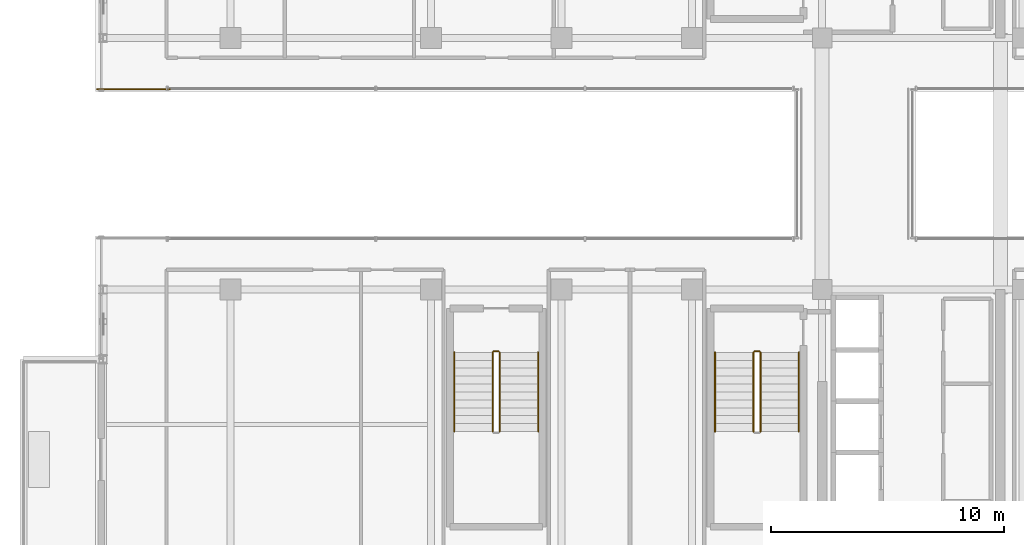
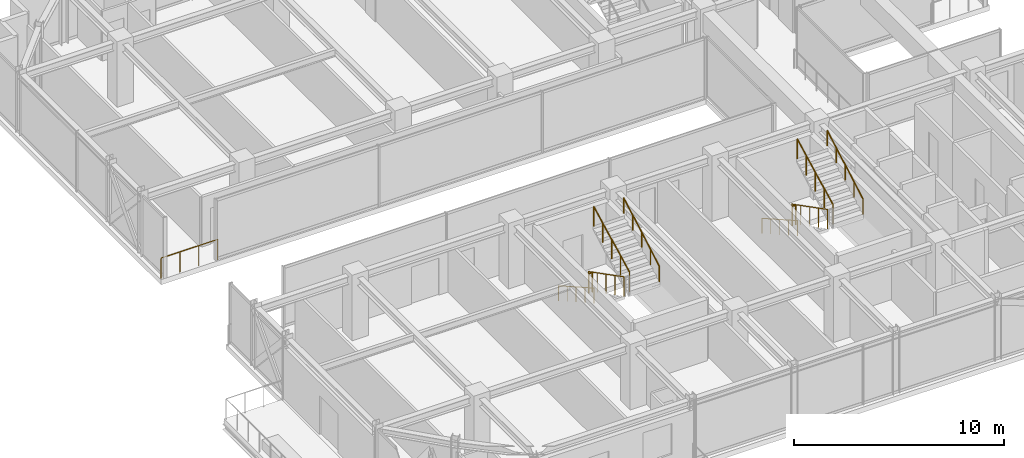
# One storey, part 35 of 37: 11 railings.
"""IFC4 building model written with IfcOpenShell, lengths in metres."""

from ifc_helpers import new_model, si_unit, direction, frame, origin, origin_2d, place, context, subcontext, project, spatial, circle, extrude, material, type_object, element, save


model = new_model("IFC4")

# Units and contexts
model_context = context("Model", 3, precision=1e-05, world=origin(), true_north=direction((0.0, 1.0)))
body_context = subcontext(model_context, "Body", "Model", "MODEL_VIEW")
ifc_project = project(units=[si_unit("LENGTHUNIT", "METRE"), si_unit("AREAUNIT", "SQUARE_METRE"), si_unit("VOLUMEUNIT", "CUBIC_METRE"), si_unit("PLANEANGLEUNIT", "RADIAN"), si_unit("MASSUNIT", "GRAM", prefix="KILO")], contexts=[model_context])

# Site, building, storey
site_placement = place(None, origin())
site = spatial("IfcSite", under=ifc_project, at=site_placement, CompositionType="ELEMENT")
building_placement = place(site_placement, origin())
building = spatial("IfcBuilding", under=site, at=building_placement, Name="Nahalor Promenade Grand Hotel", CompositionType="ELEMENT")
storey_placement = place(building_placement, frame((0.0, 0.0, 292.64990234375)))
storey = spatial("IfcBuildingStorey", under=building, at=storey_placement, Name="L75", CompositionType="ELEMENT", Elevation=292.64990234375)

# Railings
ifc_material_1 = material(Name="Anodised Bronze Aluminium EN AW-6063 T6", Category="aluminium")
railing_type_1 = type_object("IfcRailingType", Name="Bronze Balcony Guardrail 1200 mm", PredefinedType="GUARDRAIL", material=ifc_material_1)
railing_1_placement = place(storey_placement, frame((-22.739990234375, 3.199951171875, 0.0)))
element("IfcRailing", 1, at=railing_1_placement, inside=storey, type_object=railing_type_1, Name="L75 Oculus Void Edge Guardrail WN", PredefinedType="GUARDRAIL", context=body_context, shape_type="SweptSolid", body=[
    extrude(circle(Radius=0.024048, at=origin_2d()), frame((0.0, 0.0, 1.17578125), z_axis=(1.0, 0.0, 0.0), x_axis=(0.0, 1.0, 0.0)), (0.0, 0.0, 1.0), 3.119873046875),
    extrude(circle(Radius=0.020996, at=origin_2d()), origin(), (0.0, 0.0, 1.0), 1.14990234375),
    extrude(circle(Radius=0.020996, at=origin_2d()), frame((1.0400390625, 0.0, 0.0)), (0.0, 0.0, 1.0), 1.14990234375),
    extrude(circle(Radius=0.020996, at=origin_2d()), frame((2.079833984375, 0.0, 0.0)), (0.0, 0.0, 1.0), 1.14990234375),
    extrude(circle(Radius=0.020996, at=origin_2d()), frame((3.119873046875, 0.0, 0.0)), (0.0, 0.0, 1.0), 1.14990234375),
])
ifc_material_2 = material(Name="Steel S355JR", Category="steel")
railing_type_2 = type_object("IfcRailingType", Name="Steel Stair Guardrail 1150 mm", PredefinedType="GUARDRAIL", material=ifc_material_2)
railing_2_placement = place(storey_placement, frame((5.449951171875, -8.10009765625, 0.175048828125)))
element("IfcRailing", 2, at=railing_2_placement, inside=storey, type_object=railing_type_2, Name="L75 ST2 stair guard 1", PredefinedType="GUARDRAIL", context=body_context, shape_type="SweptSolid", body=[
    extrude(circle(Radius=0.024048, at=origin_2d()), frame((0.0, 0.0, 1.1259765625), z_axis=(0.0, -0.889130461562, 0.457653823673), x_axis=(1.0, 0.0, 0.0)), (0.0, 0.0, 1.0), 3.82373046875),
    extrude(circle(Radius=0.020996, at=origin_2d()), origin(), (0.0, 0.0, 1.0), 1.099853515625),
    extrude(circle(Radius=0.020996, at=origin_2d()), frame((0.0, -0.85009765625, 0.4375)), (0.0, 0.0, 1.0), 1.099853515625),
    extrude(circle(Radius=0.020996, at=origin_2d()), frame((0.0, -1.699951171875, 0.875)), (0.0, 0.0, 1.0), 1.099853515625),
    extrude(circle(Radius=0.020996, at=origin_2d()), frame((0.0, -2.5498046875, 1.3125)), (0.0, 0.0, 1.0), 1.099853515625),
    extrude(circle(Radius=0.020996, at=origin_2d()), frame((0.0, -3.39990234375, 1.75)), (0.0, 0.0, 1.0), 1.099853515625),
])
railing_3_placement = place(storey_placement, frame((5.75, -11.5, 2.10009765625)))
element("IfcRailing", 3, at=railing_3_placement, inside=storey, type_object=railing_type_2, Name="L75 ST2 stair guard 3", PredefinedType="GUARDRAIL", context=body_context, shape_type="SweptSolid", body=[
    extrude(circle(Radius=0.024048, at=origin_2d()), frame((0.0, 0.0, 1.1259765625), z_axis=(0.0, 0.889130461562, 0.457653823673), x_axis=(-1.0, 0.0, 0.0)), (0.0, 0.0, 1.0), 3.82373046875),
    extrude(circle(Radius=0.020996, at=origin_2d()), origin(), (0.0, 0.0, 1.0), 1.099853515625),
    extrude(circle(Radius=0.020996, at=origin_2d()), frame((0.0, 0.85009765625, 0.4375)), (0.0, 0.0, 1.0), 1.099853515625),
    extrude(circle(Radius=0.020996, at=origin_2d()), frame((0.0, 1.699951171875, 0.875)), (0.0, 0.0, 1.0), 1.099853515625),
    extrude(circle(Radius=0.020996, at=origin_2d()), frame((0.0, 2.5498046875, 1.3125)), (0.0, 0.0, 1.0), 1.099853515625),
    extrude(circle(Radius=0.020996, at=origin_2d()), frame((0.0, 3.39990234375, 1.75)), (0.0, 0.0, 1.0), 1.099853515625),
])
railing_4_placement = place(storey_placement, frame((5.5, -8.050048828125, 0.0)))
element("IfcRailing", 4, at=railing_4_placement, inside=storey, type_object=railing_type_2, Name="L75 ST2 stair guard 4", PredefinedType="GUARDRAIL", context=body_context, shape_type="SweptSolid", body=[
    extrude(circle(Radius=0.024048, at=origin_2d()), frame((0.0, 0.0, 1.1259765625), z_axis=(1.0, 0.0, 0.0), x_axis=(0.0, 1.0, 0.0)), (0.0, 0.0, 1.0), 0.199951171875),
    extrude(circle(Radius=0.020996, at=origin_2d()), origin(), (0.0, 0.0, 1.0), 1.099853515625),
    extrude(circle(Radius=0.020996, at=origin_2d()), frame((0.199951171875, 0.0, 0.0)), (0.0, 0.0, 1.0), 1.099853515625),
])
railing_5_placement = place(storey_placement, frame((-5.75, -8.10009765625, 0.175048828125)))
element("IfcRailing", 5, at=railing_5_placement, inside=storey, type_object=railing_type_2, Name="L75 ST3 stair guard 1", PredefinedType="GUARDRAIL", context=body_context, shape_type="SweptSolid", body=[
    extrude(circle(Radius=0.024048, at=origin_2d()), frame((0.0, 0.0, 1.1259765625), z_axis=(0.0, -0.889130461562, 0.457653823673), x_axis=(1.0, 0.0, 0.0)), (0.0, 0.0, 1.0), 3.82373046875),
    extrude(circle(Radius=0.020996, at=origin_2d()), origin(), (0.0, 0.0, 1.0), 1.099853515625),
    extrude(circle(Radius=0.020996, at=origin_2d()), frame((0.0, -0.85009765625, 0.4375)), (0.0, 0.0, 1.0), 1.099853515625),
    extrude(circle(Radius=0.020996, at=origin_2d()), frame((0.0, -1.699951171875, 0.875)), (0.0, 0.0, 1.0), 1.099853515625),
    extrude(circle(Radius=0.020996, at=origin_2d()), frame((0.0, -2.5498046875, 1.3125)), (0.0, 0.0, 1.0), 1.099853515625),
    extrude(circle(Radius=0.020996, at=origin_2d()), frame((0.0, -3.39990234375, 1.75)), (0.0, 0.0, 1.0), 1.099853515625),
])
railing_6_placement = place(storey_placement, frame((-5.449951171875, -11.5, 2.10009765625)))
element("IfcRailing", 6, at=railing_6_placement, inside=storey, type_object=railing_type_2, Name="L75 ST3 stair guard 3", PredefinedType="GUARDRAIL", context=body_context, shape_type="SweptSolid", body=[
    extrude(circle(Radius=0.024048, at=origin_2d()), frame((0.0, 0.0, 1.1259765625), z_axis=(0.0, 0.889130461562, 0.457653823673), x_axis=(-1.0, 0.0, 0.0)), (0.0, 0.0, 1.0), 3.82373046875),
    extrude(circle(Radius=0.020996, at=origin_2d()), origin(), (0.0, 0.0, 1.0), 1.099853515625),
    extrude(circle(Radius=0.020996, at=origin_2d()), frame((0.0, 0.85009765625, 0.4375)), (0.0, 0.0, 1.0), 1.099853515625),
    extrude(circle(Radius=0.020996, at=origin_2d()), frame((0.0, 1.699951171875, 0.875)), (0.0, 0.0, 1.0), 1.099853515625),
    extrude(circle(Radius=0.020996, at=origin_2d()), frame((0.0, 2.5498046875, 1.3125)), (0.0, 0.0, 1.0), 1.099853515625),
    extrude(circle(Radius=0.020996, at=origin_2d()), frame((0.0, 3.39990234375, 1.75)), (0.0, 0.0, 1.0), 1.099853515625),
])
railing_7_placement = place(storey_placement, frame((-5.699951171875, -8.050048828125, 0.0)))
element("IfcRailing", 7, at=railing_7_placement, inside=storey, type_object=railing_type_2, Name="L75 ST3 stair guard 4", PredefinedType="GUARDRAIL", context=body_context, shape_type="SweptSolid", body=[
    extrude(circle(Radius=0.024048, at=origin_2d()), frame((0.0, 0.0, 1.1259765625), z_axis=(1.0, 0.0, 0.0), x_axis=(0.0, 1.0, 0.0)), (0.0, 0.0, 1.0), 0.199951171875),
    extrude(circle(Radius=0.020996, at=origin_2d()), origin(), (0.0, 0.0, 1.0), 1.099853515625),
    extrude(circle(Radius=0.020996, at=origin_2d()), frame((0.199951171875, 0.0, 0.0)), (0.0, 0.0, 1.0), 1.099853515625),
])
railing_type_3 = type_object("IfcRailingType", Name="Steel Stair Handrail 900 mm", PredefinedType="HANDRAIL", material=ifc_material_2)
railing_8_placement = place(storey_placement, frame((3.800048828125, -8.10009765625, 0.175048828125)))
element("IfcRailing", 8, at=railing_8_placement, inside=storey, type_object=railing_type_3, Name="L75 ST2 stair handrail 1", PredefinedType="HANDRAIL", context=body_context, shape_type="SweptSolid", body=[
    extrude(circle(Radius=0.024048, at=origin_2d()), frame((0.0, 0.0, 0.8759765625), z_axis=(0.0, -0.870193670192, 0.492709829776), x_axis=(1.0, 0.0, 0.0)), (0.0, 0.0, 1.0), 3.906982421875),
    extrude(circle(Radius=0.020996, at=origin_2d()), origin(), (0.0, 0.0, 1.0), 0.849853515625),
    extrude(circle(Radius=0.020996, at=origin_2d()), frame((0.0, -0.85009765625, 0.481201171875)), (0.0, 0.0, 1.0), 0.849853515625),
    extrude(circle(Radius=0.020996, at=origin_2d()), frame((0.0, -1.699951171875, 0.96240234375)), (0.0, 0.0, 1.0), 0.849853515625),
    extrude(circle(Radius=0.020996, at=origin_2d()), frame((0.0, -2.5498046875, 1.44384765625)), (0.0, 0.0, 1.0), 0.849853515625),
    extrude(circle(Radius=0.020996, at=origin_2d()), frame((0.0, -3.39990234375, 1.925048828125)), (0.0, 0.0, 1.0), 0.849853515625),
])
railing_9_placement = place(storey_placement, frame((7.39990234375, -11.5, 2.10009765625)))
element("IfcRailing", 9, at=railing_9_placement, inside=storey, type_object=railing_type_3, Name="L75 ST2 stair handrail 2", PredefinedType="HANDRAIL", context=body_context, shape_type="SweptSolid", body=[
    extrude(circle(Radius=0.024048, at=origin_2d()), frame((0.0, 0.0, 0.8759765625), z_axis=(0.0, 0.870193670192, 0.492709829776), x_axis=(-1.0, 0.0, 0.0)), (0.0, 0.0, 1.0), 3.906982421875),
    extrude(circle(Radius=0.020996, at=origin_2d()), origin(), (0.0, 0.0, 1.0), 0.849853515625),
    extrude(circle(Radius=0.020996, at=origin_2d()), frame((0.0, 0.85009765625, 0.481201171875)), (0.0, 0.0, 1.0), 0.849853515625),
    extrude(circle(Radius=0.020996, at=origin_2d()), frame((0.0, 1.699951171875, 0.96240234375)), (0.0, 0.0, 1.0), 0.849853515625),
    extrude(circle(Radius=0.020996, at=origin_2d()), frame((0.0, 2.5498046875, 1.44384765625)), (0.0, 0.0, 1.0), 0.849853515625),
    extrude(circle(Radius=0.020996, at=origin_2d()), frame((0.0, 3.39990234375, 1.925048828125)), (0.0, 0.0, 1.0), 0.849853515625),
])
railing_10_placement = place(storey_placement, frame((-7.39990234375, -8.10009765625, 0.175048828125)))
element("IfcRailing", 10, at=railing_10_placement, inside=storey, type_object=railing_type_3, Name="L75 ST3 stair handrail 1", PredefinedType="HANDRAIL", context=body_context, shape_type="SweptSolid", body=[
    extrude(circle(Radius=0.024048, at=origin_2d()), frame((0.0, 0.0, 0.8759765625), z_axis=(0.0, -0.870193670192, 0.492709829776), x_axis=(1.0, 0.0, 0.0)), (0.0, 0.0, 1.0), 3.906982421875),
    extrude(circle(Radius=0.020996, at=origin_2d()), origin(), (0.0, 0.0, 1.0), 0.849853515625),
    extrude(circle(Radius=0.020996, at=origin_2d()), frame((0.0, -0.85009765625, 0.481201171875)), (0.0, 0.0, 1.0), 0.849853515625),
    extrude(circle(Radius=0.020996, at=origin_2d()), frame((0.0, -1.699951171875, 0.96240234375)), (0.0, 0.0, 1.0), 0.849853515625),
    extrude(circle(Radius=0.020996, at=origin_2d()), frame((0.0, -2.5498046875, 1.44384765625)), (0.0, 0.0, 1.0), 0.849853515625),
    extrude(circle(Radius=0.020996, at=origin_2d()), frame((0.0, -3.39990234375, 1.925048828125)), (0.0, 0.0, 1.0), 0.849853515625),
])
railing_11_placement = place(storey_placement, frame((-3.800048828125, -11.5, 2.10009765625)))
element("IfcRailing", 11, at=railing_11_placement, inside=storey, type_object=railing_type_3, Name="L75 ST3 stair handrail 2", PredefinedType="HANDRAIL", context=body_context, shape_type="SweptSolid", body=[
    extrude(circle(Radius=0.024048, at=origin_2d()), frame((0.0, 0.0, 0.8759765625), z_axis=(0.0, 0.870193670192, 0.492709829776), x_axis=(-1.0, 0.0, 0.0)), (0.0, 0.0, 1.0), 3.906982421875),
    extrude(circle(Radius=0.020996, at=origin_2d()), origin(), (0.0, 0.0, 1.0), 0.849853515625),
    extrude(circle(Radius=0.020996, at=origin_2d()), frame((0.0, 0.85009765625, 0.481201171875)), (0.0, 0.0, 1.0), 0.849853515625),
    extrude(circle(Radius=0.020996, at=origin_2d()), frame((0.0, 1.699951171875, 0.96240234375)), (0.0, 0.0, 1.0), 0.849853515625),
    extrude(circle(Radius=0.020996, at=origin_2d()), frame((0.0, 2.5498046875, 1.44384765625)), (0.0, 0.0, 1.0), 0.849853515625),
    extrude(circle(Radius=0.020996, at=origin_2d()), frame((0.0, 3.39990234375, 1.925048828125)), (0.0, 0.0, 1.0), 0.849853515625),
])

save(model, "model.ifc")
